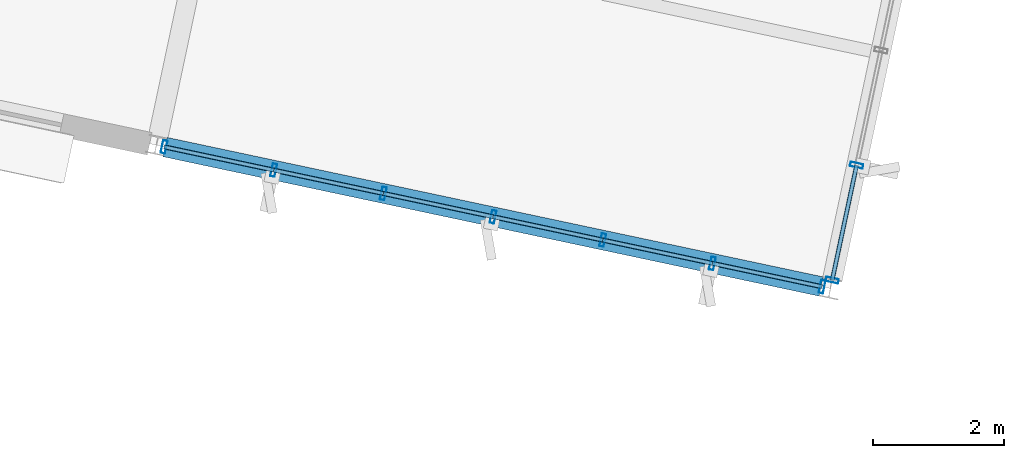
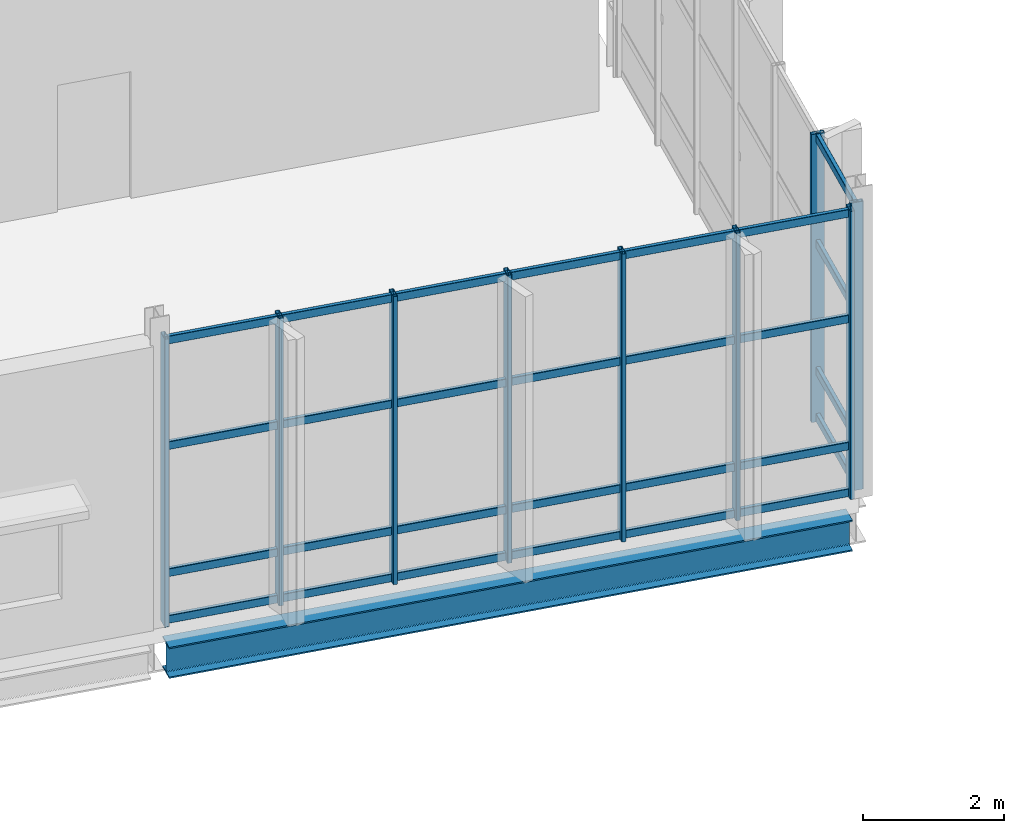
# One storey, part 20 of 176: 37 members, 1 beam, 2 elements without a shape of their own.
"""IFC4 building model written with IfcOpenShell, lengths in metres."""

from ifc_helpers import new_model, si_unit, direction, frame, origin, origin_2d, place, context, subcontext, project, spatial, hollow_rectangle, i_section, extrude, material, layer, layer_set, material_profile, profile_set, type_object, element, aggregate, save


model = new_model("IFC4")

# Units and contexts
model_context = context("Model", 3, precision=1e-05, world=origin(), true_north=direction((0.0, 1.0)))
body_context = subcontext(model_context, "Body", "Model", "MODEL_VIEW")
ifc_project = project(units=[si_unit("LENGTHUNIT", "METRE"), si_unit("AREAUNIT", "SQUARE_METRE"), si_unit("VOLUMEUNIT", "CUBIC_METRE"), si_unit("PLANEANGLEUNIT", "RADIAN"), si_unit("MASSUNIT", "GRAM", prefix="KILO")], contexts=[model_context])

# Site, building, storey
site_placement = place(None, origin())
site = spatial("IfcSite", under=ifc_project, at=site_placement, CompositionType="ELEMENT")
building_placement = place(site_placement, origin())
building = spatial("IfcBuilding", under=site, at=building_placement, Name="Khorjan Park Terminus", CompositionType="ELEMENT")
storey_placement = place(building_placement, frame((0.0, 0.0, 6.0)))
storey = spatial("IfcBuildingStorey", under=building, at=storey_placement, Name="L01", CompositionType="ELEMENT", Elevation=6.0)

# Beam
ifc_material_1 = material(Name="Steel S355", Category="steel")
ifc_material_profile_1 = material_profile(ifc_material_1, i_section(OverallWidth=0.3, OverallDepth=0.54, WebThickness=0.0125, FlangeThickness=0.024, FilletRadius=0.027, at=origin_2d()), Name="HEA 550")
ifc_profile_set_1 = profile_set([ifc_material_profile_1], Name="Steel S355")
beam_type = type_object("IfcBeamType", Name="BM-HEA550", PredefinedType="BEAM", material=ifc_profile_set_1)
beam_placement = place(storey_placement, frame((14.6731, 37.6058, -0.63), z_axis=(0.978146887948, -0.207915044185, 0.0), x_axis=(0.207915044185, 0.978146887948, 0.0)))
element("IfcBeam", 1, at=beam_placement, inside=storey, type_object=beam_type, Name="Primary skew-grid floor girder SB-A55 (L01)", PredefinedType="BEAM", context=body_context, shape_type="SweptSolid", body=[
    extrude(i_section(OverallWidth=0.3, OverallDepth=0.54, WebThickness=0.0125, FlangeThickness=0.024, FilletRadius=0.027, at=origin_2d()), origin(), (0.0, 0.0, 1.0), 10.22),
])

# Curtain wall, members
ifc_material_2 = material(Name="Anodized Bronze Aluminium", Category="aluminium")
ifc_layer = layer(ifc_material_2, 0.22)
ifc_layer_set = layer_set([ifc_layer], Name="Anodized Bronze Aluminium")
curtain_wall_type = type_object("IfcCurtainWallType", Name="CW-PAV-C", PredefinedType="NOTDEFINED", material=ifc_layer_set)
curtain_wall_1_placement = place(storey_placement, origin())
curtain_wall_1 = element("IfcCurtainWall", 2, at=curtain_wall_1_placement, inside=storey, type_object=curtain_wall_type, Name="Unitized curtain wall CW-C (CW-V4-S-L01-B03)", PredefinedType="NOTDEFINED")
ifc_material_profile_2 = material_profile(ifc_material_2, hollow_rectangle(XDim=0.07, YDim=0.2, WallThickness=0.005, InnerFilletRadius=0.005, OuterFilletRadius=0.01, at=origin_2d()), Name="ALM 70x200x5")
ifc_profile_set_2 = profile_set([ifc_material_profile_2], Name="Anodized Bronze Aluminium")
member_type_1 = type_object("IfcMemberType", Name="ML-ALM-200", PredefinedType="MULLION", material=ifc_profile_set_2)
member_1_placement = place(storey_placement, frame((14.6584, 37.609, -0.035), z_axis=(0.0, 0.0, 1.0), x_axis=(0.978147146591, -0.207913827382, 0.0)))
member_1 = element("IfcMember", 3, at=member_1_placement, type_object=member_type_1, Name="Curtain-wall mullion ML-20 (CW-V4-S-L01-B03-0)", PredefinedType="MULLION", context=body_context, shape_type="SweptSolid", body=[
    extrude(hollow_rectangle(XDim=0.07, YDim=0.2, WallThickness=0.005, InnerFilletRadius=0.005, OuterFilletRadius=0.01, at=origin_2d()), origin(), (0.0, 0.0, 1.0), 5.0),
])
member_2_placement = place(storey_placement, frame((16.3295, 37.2538, -0.035), z_axis=(0.0, 0.0, 1.0), x_axis=(0.978147146591, -0.207913827382, 0.0)))
member_2 = element("IfcMember", 4, at=member_2_placement, type_object=member_type_1, Name="Curtain-wall mullion ML-20 (CW-V4-S-L01-B03-1)", PredefinedType="MULLION", context=body_context, shape_type="SweptSolid", body=[
    extrude(hollow_rectangle(XDim=0.07, YDim=0.2, WallThickness=0.005, InnerFilletRadius=0.005, OuterFilletRadius=0.01, at=origin_2d()), origin(), (0.0, 0.0, 1.0), 5.0),
])
member_3_placement = place(storey_placement, frame((18.0005, 36.8986, -0.035), z_axis=(0.0, 0.0, 1.0), x_axis=(0.978147146591, -0.207913827382, 0.0)))
member_3 = element("IfcMember", 5, at=member_3_placement, type_object=member_type_1, Name="Curtain-wall mullion ML-20 (CW-V4-S-L01-B03-2)", PredefinedType="MULLION", context=body_context, shape_type="SweptSolid", body=[
    extrude(hollow_rectangle(XDim=0.07, YDim=0.2, WallThickness=0.005, InnerFilletRadius=0.005, OuterFilletRadius=0.01, at=origin_2d()), origin(), (0.0, 0.0, 1.0), 5.0),
])
member_4_placement = place(storey_placement, frame((19.6716, 36.5434, -0.035), z_axis=(0.0, 0.0, 1.0), x_axis=(0.978147146591, -0.207913827382, 0.0)))
member_4 = element("IfcMember", 6, at=member_4_placement, type_object=member_type_1, Name="Curtain-wall mullion ML-20 (CW-V4-S-L01-B03-3)", PredefinedType="MULLION", context=body_context, shape_type="SweptSolid", body=[
    extrude(hollow_rectangle(XDim=0.07, YDim=0.2, WallThickness=0.005, InnerFilletRadius=0.005, OuterFilletRadius=0.01, at=origin_2d()), origin(), (0.0, 0.0, 1.0), 5.0),
])
member_5_placement = place(storey_placement, frame((21.3427, 36.1882, -0.035), z_axis=(0.0, 0.0, 1.0), x_axis=(0.978147146591, -0.207913827382, 0.0)))
member_5 = element("IfcMember", 7, at=member_5_placement, type_object=member_type_1, Name="Curtain-wall mullion ML-20 (CW-V4-S-L01-B03-4)", PredefinedType="MULLION", context=body_context, shape_type="SweptSolid", body=[
    extrude(hollow_rectangle(XDim=0.07, YDim=0.2, WallThickness=0.005, InnerFilletRadius=0.005, OuterFilletRadius=0.01, at=origin_2d()), origin(), (0.0, 0.0, 1.0), 5.0),
])
member_6_placement = place(storey_placement, frame((23.0137, 35.833, -0.035), z_axis=(0.0, 0.0, 1.0), x_axis=(0.978147146591, -0.207913827382, 0.0)))
member_6 = element("IfcMember", 8, at=member_6_placement, type_object=member_type_1, Name="Curtain-wall mullion ML-20 (CW-V4-S-L01-B03-5)", PredefinedType="MULLION", context=body_context, shape_type="SweptSolid", body=[
    extrude(hollow_rectangle(XDim=0.07, YDim=0.2, WallThickness=0.005, InnerFilletRadius=0.005, OuterFilletRadius=0.01, at=origin_2d()), origin(), (0.0, 0.0, 1.0), 5.0),
])
member_7_placement = place(storey_placement, frame((24.6848, 35.4778, -0.035), z_axis=(0.0, 0.0, 1.0), x_axis=(0.978147146591, -0.207913827382, 0.0)))
member_7 = element("IfcMember", 9, at=member_7_placement, type_object=member_type_1, Name="Curtain-wall mullion ML-20 (CW-V4-S-L01-B03-6)", PredefinedType="MULLION", context=body_context, shape_type="SweptSolid", body=[
    extrude(hollow_rectangle(XDim=0.07, YDim=0.2, WallThickness=0.005, InnerFilletRadius=0.005, OuterFilletRadius=0.01, at=origin_2d()), origin(), (0.0, 0.0, 1.0), 5.0),
])

curtain_wall_2_placement = place(storey_placement, origin())
curtain_wall_2 = element("IfcCurtainWall", 10, at=curtain_wall_2_placement, inside=storey, type_object=curtain_wall_type, Name="Unitized curtain wall CW-C (CW-V4-E-L01-B01)", PredefinedType="NOTDEFINED")
member_8_placement = place(storey_placement, frame((24.8387, 35.5782, -0.035), z_axis=(0.0, 0.0, 1.0), x_axis=(0.207916776669, 0.978146519689, 0.0)))
member_8 = element("IfcMember", 11, at=member_8_placement, type_object=member_type_1, Name="Curtain-wall mullion ML-20 (CW-V4-E-L01-B01-0)", PredefinedType="MULLION", context=body_context, shape_type="SweptSolid", body=[
    extrude(hollow_rectangle(XDim=0.07, YDim=0.2, WallThickness=0.005, InnerFilletRadius=0.005, OuterFilletRadius=0.01, at=origin_2d()), origin(), (0.0, 0.0, 1.0), 5.0),
])
member_9_placement = place(storey_placement, frame((25.2109, 37.329, -0.035), z_axis=(0.0, 0.0, 1.0), x_axis=(0.207916776669, 0.978146519689, 0.0)))
member_9 = element("IfcMember", 12, at=member_9_placement, type_object=member_type_1, Name="Curtain-wall mullion ML-20 (CW-V4-E-L01-B01-1)", PredefinedType="MULLION", context=body_context, shape_type="SweptSolid", body=[
    extrude(hollow_rectangle(XDim=0.07, YDim=0.2, WallThickness=0.005, InnerFilletRadius=0.005, OuterFilletRadius=0.01, at=origin_2d()), origin(), (0.0, 0.0, 1.0), 5.0),
])

# Member
ifc_material_profile_3 = material_profile(ifc_material_2, hollow_rectangle(XDim=0.065, YDim=0.14, WallThickness=0.004, InnerFilletRadius=0.004, OuterFilletRadius=0.008, at=origin_2d()), Name="ALT 65x140x4")
ifc_profile_set_3 = profile_set([ifc_material_profile_3], Name="Anodized Bronze Aluminium")
member_type_2 = type_object("IfcMemberType", Name="TR-ALT-140", PredefinedType="USERDEFINED", material=ifc_profile_set_3)
member_10_placement = place(storey_placement, frame((14.6584, 37.609, 0.04), z_axis=(0.978147990011, -0.207909859405, 0.0), x_axis=(0.207909859405, 0.978147990011, 0.0)))
member_10 = element("IfcMember", 13, at=member_10_placement, type_object=member_type_2, Name="Curtain-wall transom TR-14 (CW-V4-S-L01-B03-0-1)", ObjectType="TRANSOM", PredefinedType="USERDEFINED", context=body_context, shape_type="SweptSolid", body=[
    extrude(hollow_rectangle(XDim=0.065, YDim=0.14, WallThickness=0.004, InnerFilletRadius=0.004, OuterFilletRadius=0.008, at=origin_2d()), origin(), (0.0, 0.0, 1.0), 1.7084),
])

member_11_placement = place(storey_placement, frame((14.6584, 37.609, 0.85), z_axis=(0.978147990011, -0.207909859405, 0.0), x_axis=(0.207909859405, 0.978147990011, 0.0)))
member_11 = element("IfcMember", 14, at=member_11_placement, type_object=member_type_2, Name="Curtain-wall transom TR-14 (CW-V4-S-L01-B03-0-2)", ObjectType="TRANSOM", PredefinedType="USERDEFINED", context=body_context, shape_type="SweptSolid", body=[
    extrude(hollow_rectangle(XDim=0.065, YDim=0.14, WallThickness=0.004, InnerFilletRadius=0.004, OuterFilletRadius=0.008, at=origin_2d()), origin(), (0.0, 0.0, 1.0), 1.7084),
])

member_12_placement = place(storey_placement, frame((14.6584, 37.609, 3.0566), z_axis=(0.978147990011, -0.207909859405, 0.0), x_axis=(0.207909859405, 0.978147990011, 0.0)))
member_12 = element("IfcMember", 15, at=member_12_placement, type_object=member_type_2, Name="Curtain-wall transom TR-14 (CW-V4-S-L01-B03-0-3)", ObjectType="TRANSOM", PredefinedType="USERDEFINED", context=body_context, shape_type="SweptSolid", body=[
    extrude(hollow_rectangle(XDim=0.065, YDim=0.14, WallThickness=0.004, InnerFilletRadius=0.004, OuterFilletRadius=0.008, at=origin_2d()), origin(), (0.0, 0.0, 1.0), 1.7084),
])

member_13_placement = place(storey_placement, frame((14.6584, 37.609, 4.89), z_axis=(0.978147990011, -0.207909859405, 0.0), x_axis=(0.207909859405, 0.978147990011, 0.0)))
member_13 = element("IfcMember", 16, at=member_13_placement, type_object=member_type_2, Name="Curtain-wall transom TR-14 (CW-V4-S-L01-B03-0-4)", ObjectType="TRANSOM", PredefinedType="USERDEFINED", context=body_context, shape_type="SweptSolid", body=[
    extrude(hollow_rectangle(XDim=0.065, YDim=0.14, WallThickness=0.004, InnerFilletRadius=0.004, OuterFilletRadius=0.008, at=origin_2d()), origin(), (0.0, 0.0, 1.0), 1.7084),
])

member_14_placement = place(storey_placement, frame((16.3295, 37.2538, 0.04), z_axis=(0.978145459608, -0.207921763766, 0.0), x_axis=(0.207921763766, 0.978145459608, 0.0)))
member_14 = element("IfcMember", 17, at=member_14_placement, type_object=member_type_2, Name="Curtain-wall transom TR-14 (CW-V4-S-L01-B03-1-1)", ObjectType="TRANSOM", PredefinedType="USERDEFINED", context=body_context, shape_type="SweptSolid", body=[
    extrude(hollow_rectangle(XDim=0.065, YDim=0.14, WallThickness=0.004, InnerFilletRadius=0.004, OuterFilletRadius=0.008, at=origin_2d()), origin(), (0.0, 0.0, 1.0), 1.7083),
])

member_15_placement = place(storey_placement, frame((16.3295, 37.2538, 0.85), z_axis=(0.978145459608, -0.207921763766, 0.0), x_axis=(0.207921763766, 0.978145459608, 0.0)))
member_15 = element("IfcMember", 18, at=member_15_placement, type_object=member_type_2, Name="Curtain-wall transom TR-14 (CW-V4-S-L01-B03-1-2)", ObjectType="TRANSOM", PredefinedType="USERDEFINED", context=body_context, shape_type="SweptSolid", body=[
    extrude(hollow_rectangle(XDim=0.065, YDim=0.14, WallThickness=0.004, InnerFilletRadius=0.004, OuterFilletRadius=0.008, at=origin_2d()), origin(), (0.0, 0.0, 1.0), 1.7083),
])

member_16_placement = place(storey_placement, frame((16.3295, 37.2538, 3.0566), z_axis=(0.978145459608, -0.207921763766, 0.0), x_axis=(0.207921763766, 0.978145459608, 0.0)))
member_16 = element("IfcMember", 19, at=member_16_placement, type_object=member_type_2, Name="Curtain-wall transom TR-14 (CW-V4-S-L01-B03-1-3)", ObjectType="TRANSOM", PredefinedType="USERDEFINED", context=body_context, shape_type="SweptSolid", body=[
    extrude(hollow_rectangle(XDim=0.065, YDim=0.14, WallThickness=0.004, InnerFilletRadius=0.004, OuterFilletRadius=0.008, at=origin_2d()), origin(), (0.0, 0.0, 1.0), 1.7083),
])

member_17_placement = place(storey_placement, frame((16.3295, 37.2538, 4.89), z_axis=(0.978145459608, -0.207921763766, 0.0), x_axis=(0.207921763766, 0.978145459608, 0.0)))
member_17 = element("IfcMember", 20, at=member_17_placement, type_object=member_type_2, Name="Curtain-wall transom TR-14 (CW-V4-S-L01-B03-1-4)", ObjectType="TRANSOM", PredefinedType="USERDEFINED", context=body_context, shape_type="SweptSolid", body=[
    extrude(hollow_rectangle(XDim=0.065, YDim=0.14, WallThickness=0.004, InnerFilletRadius=0.004, OuterFilletRadius=0.008, at=origin_2d()), origin(), (0.0, 0.0, 1.0), 1.7083),
])

member_18_placement = place(storey_placement, frame((18.0005, 36.8986, 0.04), z_axis=(0.978147990011, -0.207909859405, 0.0), x_axis=(0.207909859405, 0.978147990011, 0.0)))
member_18 = element("IfcMember", 21, at=member_18_placement, type_object=member_type_2, Name="Curtain-wall transom TR-14 (CW-V4-S-L01-B03-2-1)", ObjectType="TRANSOM", PredefinedType="USERDEFINED", context=body_context, shape_type="SweptSolid", body=[
    extrude(hollow_rectangle(XDim=0.065, YDim=0.14, WallThickness=0.004, InnerFilletRadius=0.004, OuterFilletRadius=0.008, at=origin_2d()), origin(), (0.0, 0.0, 1.0), 1.7084),
])

member_19_placement = place(storey_placement, frame((18.0005, 36.8986, 0.85), z_axis=(0.978147990011, -0.207909859405, 0.0), x_axis=(0.207909859405, 0.978147990011, 0.0)))
member_19 = element("IfcMember", 22, at=member_19_placement, type_object=member_type_2, Name="Curtain-wall transom TR-14 (CW-V4-S-L01-B03-2-2)", ObjectType="TRANSOM", PredefinedType="USERDEFINED", context=body_context, shape_type="SweptSolid", body=[
    extrude(hollow_rectangle(XDim=0.065, YDim=0.14, WallThickness=0.004, InnerFilletRadius=0.004, OuterFilletRadius=0.008, at=origin_2d()), origin(), (0.0, 0.0, 1.0), 1.7084),
])

member_20_placement = place(storey_placement, frame((18.0005, 36.8986, 3.0566), z_axis=(0.978147990011, -0.207909859405, 0.0), x_axis=(0.207909859405, 0.978147990011, 0.0)))
member_20 = element("IfcMember", 23, at=member_20_placement, type_object=member_type_2, Name="Curtain-wall transom TR-14 (CW-V4-S-L01-B03-2-3)", ObjectType="TRANSOM", PredefinedType="USERDEFINED", context=body_context, shape_type="SweptSolid", body=[
    extrude(hollow_rectangle(XDim=0.065, YDim=0.14, WallThickness=0.004, InnerFilletRadius=0.004, OuterFilletRadius=0.008, at=origin_2d()), origin(), (0.0, 0.0, 1.0), 1.7084),
])

member_21_placement = place(storey_placement, frame((18.0005, 36.8986, 4.89), z_axis=(0.978147990011, -0.207909859405, 0.0), x_axis=(0.207909859405, 0.978147990011, 0.0)))
member_21 = element("IfcMember", 24, at=member_21_placement, type_object=member_type_2, Name="Curtain-wall transom TR-14 (CW-V4-S-L01-B03-2-4)", ObjectType="TRANSOM", PredefinedType="USERDEFINED", context=body_context, shape_type="SweptSolid", body=[
    extrude(hollow_rectangle(XDim=0.065, YDim=0.14, WallThickness=0.004, InnerFilletRadius=0.004, OuterFilletRadius=0.008, at=origin_2d()), origin(), (0.0, 0.0, 1.0), 1.7084),
])

member_22_placement = place(storey_placement, frame((19.6716, 36.5434, 0.04), z_axis=(0.978147990011, -0.207909859405, 0.0), x_axis=(0.207909859405, 0.978147990011, 0.0)))
member_22 = element("IfcMember", 25, at=member_22_placement, type_object=member_type_2, Name="Curtain-wall transom TR-14 (CW-V4-S-L01-B03-3-1)", ObjectType="TRANSOM", PredefinedType="USERDEFINED", context=body_context, shape_type="SweptSolid", body=[
    extrude(hollow_rectangle(XDim=0.065, YDim=0.14, WallThickness=0.004, InnerFilletRadius=0.004, OuterFilletRadius=0.008, at=origin_2d()), origin(), (0.0, 0.0, 1.0), 1.7084),
])

member_23_placement = place(storey_placement, frame((19.6716, 36.5434, 0.85), z_axis=(0.978147990011, -0.207909859405, 0.0), x_axis=(0.207909859405, 0.978147990011, 0.0)))
member_23 = element("IfcMember", 26, at=member_23_placement, type_object=member_type_2, Name="Curtain-wall transom TR-14 (CW-V4-S-L01-B03-3-2)", ObjectType="TRANSOM", PredefinedType="USERDEFINED", context=body_context, shape_type="SweptSolid", body=[
    extrude(hollow_rectangle(XDim=0.065, YDim=0.14, WallThickness=0.004, InnerFilletRadius=0.004, OuterFilletRadius=0.008, at=origin_2d()), origin(), (0.0, 0.0, 1.0), 1.7084),
])

member_24_placement = place(storey_placement, frame((19.6716, 36.5434, 3.0566), z_axis=(0.978147990011, -0.207909859405, 0.0), x_axis=(0.207909859405, 0.978147990011, 0.0)))
member_24 = element("IfcMember", 27, at=member_24_placement, type_object=member_type_2, Name="Curtain-wall transom TR-14 (CW-V4-S-L01-B03-3-3)", ObjectType="TRANSOM", PredefinedType="USERDEFINED", context=body_context, shape_type="SweptSolid", body=[
    extrude(hollow_rectangle(XDim=0.065, YDim=0.14, WallThickness=0.004, InnerFilletRadius=0.004, OuterFilletRadius=0.008, at=origin_2d()), origin(), (0.0, 0.0, 1.0), 1.7084),
])

member_25_placement = place(storey_placement, frame((19.6716, 36.5434, 4.89), z_axis=(0.978147990011, -0.207909859405, 0.0), x_axis=(0.207909859405, 0.978147990011, 0.0)))
member_25 = element("IfcMember", 28, at=member_25_placement, type_object=member_type_2, Name="Curtain-wall transom TR-14 (CW-V4-S-L01-B03-3-4)", ObjectType="TRANSOM", PredefinedType="USERDEFINED", context=body_context, shape_type="SweptSolid", body=[
    extrude(hollow_rectangle(XDim=0.065, YDim=0.14, WallThickness=0.004, InnerFilletRadius=0.004, OuterFilletRadius=0.008, at=origin_2d()), origin(), (0.0, 0.0, 1.0), 1.7084),
])

member_26_placement = place(storey_placement, frame((21.3427, 36.1882, 0.04), z_axis=(0.978145459608, -0.207921763766, 0.0), x_axis=(0.207921763766, 0.978145459608, 0.0)))
member_26 = element("IfcMember", 29, at=member_26_placement, type_object=member_type_2, Name="Curtain-wall transom TR-14 (CW-V4-S-L01-B03-4-1)", ObjectType="TRANSOM", PredefinedType="USERDEFINED", context=body_context, shape_type="SweptSolid", body=[
    extrude(hollow_rectangle(XDim=0.065, YDim=0.14, WallThickness=0.004, InnerFilletRadius=0.004, OuterFilletRadius=0.008, at=origin_2d()), origin(), (0.0, 0.0, 1.0), 1.7083),
])

member_27_placement = place(storey_placement, frame((21.3427, 36.1882, 0.85), z_axis=(0.978145459608, -0.207921763766, 0.0), x_axis=(0.207921763766, 0.978145459608, 0.0)))
member_27 = element("IfcMember", 30, at=member_27_placement, type_object=member_type_2, Name="Curtain-wall transom TR-14 (CW-V4-S-L01-B03-4-2)", ObjectType="TRANSOM", PredefinedType="USERDEFINED", context=body_context, shape_type="SweptSolid", body=[
    extrude(hollow_rectangle(XDim=0.065, YDim=0.14, WallThickness=0.004, InnerFilletRadius=0.004, OuterFilletRadius=0.008, at=origin_2d()), origin(), (0.0, 0.0, 1.0), 1.7083),
])

member_28_placement = place(storey_placement, frame((21.3427, 36.1882, 3.0566), z_axis=(0.978145459608, -0.207921763766, 0.0), x_axis=(0.207921763766, 0.978145459608, 0.0)))
member_28 = element("IfcMember", 31, at=member_28_placement, type_object=member_type_2, Name="Curtain-wall transom TR-14 (CW-V4-S-L01-B03-4-3)", ObjectType="TRANSOM", PredefinedType="USERDEFINED", context=body_context, shape_type="SweptSolid", body=[
    extrude(hollow_rectangle(XDim=0.065, YDim=0.14, WallThickness=0.004, InnerFilletRadius=0.004, OuterFilletRadius=0.008, at=origin_2d()), origin(), (0.0, 0.0, 1.0), 1.7083),
])

member_29_placement = place(storey_placement, frame((21.3427, 36.1882, 4.89), z_axis=(0.978145459608, -0.207921763766, 0.0), x_axis=(0.207921763766, 0.978145459608, 0.0)))
member_29 = element("IfcMember", 32, at=member_29_placement, type_object=member_type_2, Name="Curtain-wall transom TR-14 (CW-V4-S-L01-B03-4-4)", ObjectType="TRANSOM", PredefinedType="USERDEFINED", context=body_context, shape_type="SweptSolid", body=[
    extrude(hollow_rectangle(XDim=0.065, YDim=0.14, WallThickness=0.004, InnerFilletRadius=0.004, OuterFilletRadius=0.008, at=origin_2d()), origin(), (0.0, 0.0, 1.0), 1.7083),
])

member_30_placement = place(storey_placement, frame((23.0137, 35.833, 0.04), z_axis=(0.978147990011, -0.207909859405, 0.0), x_axis=(0.207909859405, 0.978147990011, 0.0)))
member_30 = element("IfcMember", 33, at=member_30_placement, type_object=member_type_2, Name="Curtain-wall transom TR-14 (CW-V4-S-L01-B03-5-1)", ObjectType="TRANSOM", PredefinedType="USERDEFINED", context=body_context, shape_type="SweptSolid", body=[
    extrude(hollow_rectangle(XDim=0.065, YDim=0.14, WallThickness=0.004, InnerFilletRadius=0.004, OuterFilletRadius=0.008, at=origin_2d()), origin(), (0.0, 0.0, 1.0), 1.7084),
])

member_31_placement = place(storey_placement, frame((23.0137, 35.833, 0.85), z_axis=(0.978147990011, -0.207909859405, 0.0), x_axis=(0.207909859405, 0.978147990011, 0.0)))
member_31 = element("IfcMember", 34, at=member_31_placement, type_object=member_type_2, Name="Curtain-wall transom TR-14 (CW-V4-S-L01-B03-5-2)", ObjectType="TRANSOM", PredefinedType="USERDEFINED", context=body_context, shape_type="SweptSolid", body=[
    extrude(hollow_rectangle(XDim=0.065, YDim=0.14, WallThickness=0.004, InnerFilletRadius=0.004, OuterFilletRadius=0.008, at=origin_2d()), origin(), (0.0, 0.0, 1.0), 1.7084),
])

member_32_placement = place(storey_placement, frame((23.0137, 35.833, 3.0566), z_axis=(0.978147990011, -0.207909859405, 0.0), x_axis=(0.207909859405, 0.978147990011, 0.0)))
member_32 = element("IfcMember", 35, at=member_32_placement, type_object=member_type_2, Name="Curtain-wall transom TR-14 (CW-V4-S-L01-B03-5-3)", ObjectType="TRANSOM", PredefinedType="USERDEFINED", context=body_context, shape_type="SweptSolid", body=[
    extrude(hollow_rectangle(XDim=0.065, YDim=0.14, WallThickness=0.004, InnerFilletRadius=0.004, OuterFilletRadius=0.008, at=origin_2d()), origin(), (0.0, 0.0, 1.0), 1.7084),
])

member_33_placement = place(storey_placement, frame((23.0137, 35.833, 4.89), z_axis=(0.978147990011, -0.207909859405, 0.0), x_axis=(0.207909859405, 0.978147990011, 0.0)))
member_33 = element("IfcMember", 36, at=member_33_placement, type_object=member_type_2, Name="Curtain-wall transom TR-14 (CW-V4-S-L01-B03-5-4)", ObjectType="TRANSOM", PredefinedType="USERDEFINED", context=body_context, shape_type="SweptSolid", body=[
    extrude(hollow_rectangle(XDim=0.065, YDim=0.14, WallThickness=0.004, InnerFilletRadius=0.004, OuterFilletRadius=0.008, at=origin_2d()), origin(), (0.0, 0.0, 1.0), 1.7084),
])

aggregate(curtain_wall_1, [member_1, member_2, member_3, member_4, member_5, member_6, member_7, member_10, member_11, member_12, member_13, member_14, member_15, member_16, member_17, member_18, member_19, member_20, member_21, member_22, member_23, member_24, member_25, member_26, member_27, member_28, member_29, member_30, member_31, member_32, member_33])

member_34_placement = place(storey_placement, frame((24.8387, 35.5782, 0.04), z_axis=(0.207941609461, 0.978141240852, 0.0), x_axis=(-0.978141240852, 0.207941609461, 0.0)))
member_34 = element("IfcMember", 37, at=member_34_placement, type_object=member_type_2, Name="Curtain-wall transom TR-14 (CW-V4-E-L01-B01-0-1)", ObjectType="TRANSOM", PredefinedType="USERDEFINED", context=body_context, shape_type="SweptSolid", body=[
    extrude(hollow_rectangle(XDim=0.065, YDim=0.14, WallThickness=0.004, InnerFilletRadius=0.004, OuterFilletRadius=0.008, at=origin_2d()), origin(), (0.0, 0.0, 1.0), 1.7899),
])

member_35_placement = place(storey_placement, frame((24.8387, 35.5782, 0.85), z_axis=(0.207941609461, 0.978141240852, 0.0), x_axis=(-0.978141240852, 0.207941609461, 0.0)))
member_35 = element("IfcMember", 38, at=member_35_placement, type_object=member_type_2, Name="Curtain-wall transom TR-14 (CW-V4-E-L01-B01-0-2)", ObjectType="TRANSOM", PredefinedType="USERDEFINED", context=body_context, shape_type="SweptSolid", body=[
    extrude(hollow_rectangle(XDim=0.065, YDim=0.14, WallThickness=0.004, InnerFilletRadius=0.004, OuterFilletRadius=0.008, at=origin_2d()), origin(), (0.0, 0.0, 1.0), 1.7899),
])

member_36_placement = place(storey_placement, frame((24.8387, 35.5782, 3.0566), z_axis=(0.207941609461, 0.978141240852, 0.0), x_axis=(-0.978141240852, 0.207941609461, 0.0)))
member_36 = element("IfcMember", 39, at=member_36_placement, type_object=member_type_2, Name="Curtain-wall transom TR-14 (CW-V4-E-L01-B01-0-3)", ObjectType="TRANSOM", PredefinedType="USERDEFINED", context=body_context, shape_type="SweptSolid", body=[
    extrude(hollow_rectangle(XDim=0.065, YDim=0.14, WallThickness=0.004, InnerFilletRadius=0.004, OuterFilletRadius=0.008, at=origin_2d()), origin(), (0.0, 0.0, 1.0), 1.7899),
])

member_37_placement = place(storey_placement, frame((24.8387, 35.5782, 4.89), z_axis=(0.207941609461, 0.978141240852, 0.0), x_axis=(-0.978141240852, 0.207941609461, 0.0)))
member_37 = element("IfcMember", 40, at=member_37_placement, type_object=member_type_2, Name="Curtain-wall transom TR-14 (CW-V4-E-L01-B01-0-4)", ObjectType="TRANSOM", PredefinedType="USERDEFINED", context=body_context, shape_type="SweptSolid", body=[
    extrude(hollow_rectangle(XDim=0.065, YDim=0.14, WallThickness=0.004, InnerFilletRadius=0.004, OuterFilletRadius=0.008, at=origin_2d()), origin(), (0.0, 0.0, 1.0), 1.7899),
])

aggregate(curtain_wall_2, [member_8, member_9, member_34, member_35, member_36, member_37])

save(model, "model.ifc")
